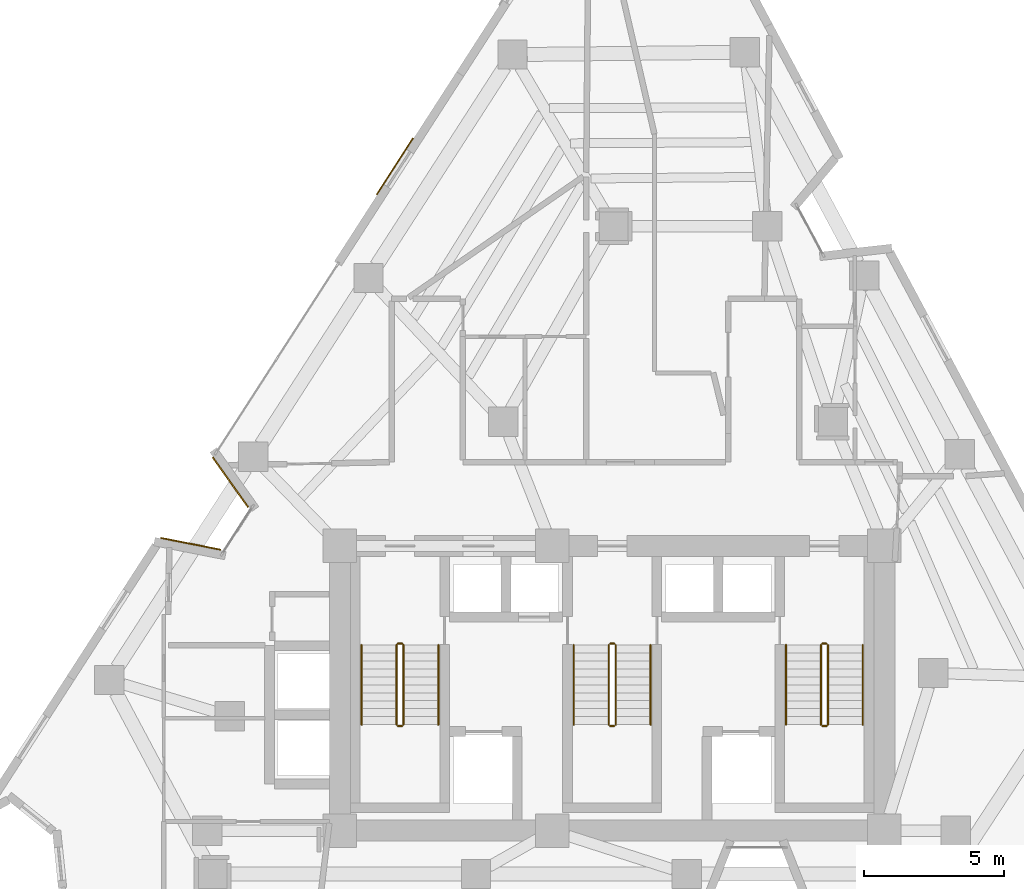
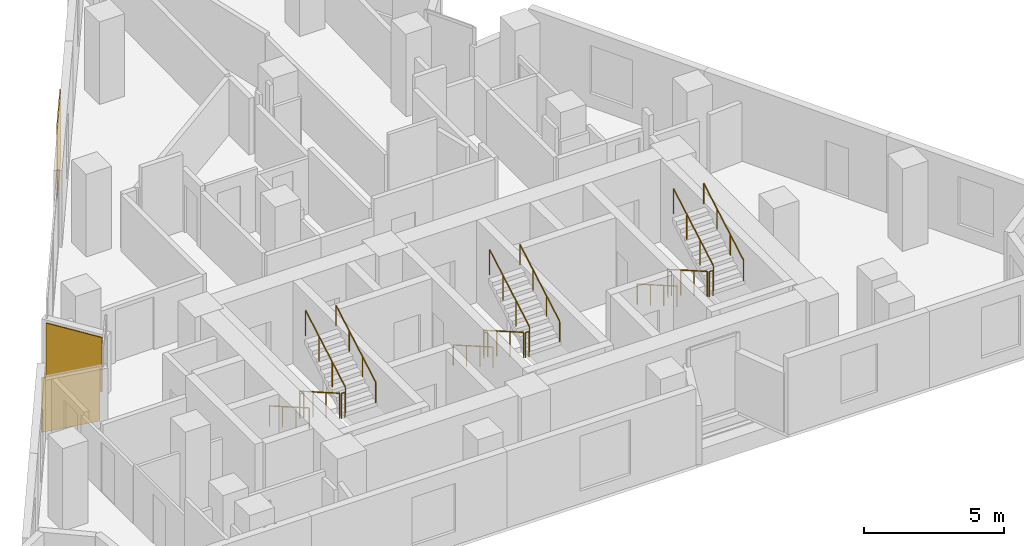
# One storey, part 10 of 11: 18 railings, 3 coverings.
"""IFC4 building model written with IfcOpenShell, lengths in metres."""

from ifc_helpers import new_model, si_unit, direction, frame, origin, origin_2d, place, context, subcontext, project, spatial, rectangle, circle, extrude, material, layer, layer_set, type_object, element, save


model = new_model("IFC4")

# Units and contexts
model_context = context("Model", 3, precision=1e-05, world=origin(), true_north=direction((0.0, 1.0)))
body_context = subcontext(model_context, "Body", "Model", "MODEL_VIEW")
ifc_project = project(units=[si_unit("LENGTHUNIT", "METRE"), si_unit("AREAUNIT", "SQUARE_METRE"), si_unit("VOLUMEUNIT", "CUBIC_METRE"), si_unit("PLANEANGLEUNIT", "RADIAN"), si_unit("MASSUNIT", "GRAM", prefix="KILO")], contexts=[model_context])

# Site, building, storey
site_placement = place(None, origin())
site = spatial("IfcSite", under=ifc_project, at=site_placement, CompositionType="ELEMENT")
building_placement = place(site_placement, origin())
building = spatial("IfcBuilding", under=site, at=building_placement, Name="Almagre Mirador Tower", CompositionType="ELEMENT")
storey_placement = place(building_placement, frame((0.0, 0.0, 189.60009765625)))
storey = spatial("IfcBuildingStorey", under=building, at=storey_placement, Name="L49", CompositionType="ELEMENT", Elevation=189.60009765625)

# Coverings
ifc_material_1 = material(Name="Almagre terracotta architectural cladding", Category="masonry")
ifc_layer = layer(ifc_material_1, 0.044921875)
ifc_layer_set = layer_set([ifc_layer], Name="Almagre terracotta architectural cladding")
covering_type = type_object("IfcCoveringType", Name="COV-CLAD-ALMAGRE", PredefinedType="CLADDING", material=ifc_layer_set)
for number, where, z_axis, x_axis, name in (
    (1, (22.204345703125, 14.82470703125, 0.099853515625), (0.0, 0.0, 1.0), (0.981164762779, -0.193172742077, 0.0), "L49 almagre terracotta pier cladding"),
    (2, (23.626953125, 17.02978515625, 0.099853515625), (0.0, 0.0, 1.0), (-0.580475589131, 0.814277649468, 0.0), "L49 almagre terracotta pier cladding"),
):
    element("IfcCovering", number, at=place(storey_placement, frame(where, z_axis=z_axis, x_axis=x_axis)), inside=storey, type_object=covering_type, Name=name, PredefinedType="CLADDING", context=body_context, shape_type="SweptSolid", body=[
        extrude(rectangle(XDim=2.194091796875, YDim=0.044921875, at=origin_2d()), origin(), (0.0, 0.0, 1.0), 2.375),
    ])
covering_placement = place(storey_placement, frame((29.51904296875, 28.34912109375, 0.099853515625), z_axis=(0.0, 0.0, 1.0), x_axis=(0.54200159037, 0.840377460452, 0.0)))
element("IfcCovering", 3, at=covering_placement, inside=storey, type_object=covering_type, Name="L49 almagre terracotta pier cladding", PredefinedType="CLADDING", context=body_context, shape_type="SweptSolid", body=[
    extrude(rectangle(XDim=2.39990234375, YDim=0.044921875, at=origin_2d()), origin(), (0.0, 0.0, 1.0), 3.14990234375),
])

# Railings
ifc_material_2 = material(Name="Painted galvanized steel", Category="steel")
railing_type_1 = type_object("IfcRailingType", Name="RLG-GRD-1100", PredefinedType="GUARDRAIL", material=ifc_material_2)
railing_1_placement = place(storey_placement, frame((29.574951171875, 11.199951171875, 0.16357421875)))
element("IfcRailing", 4, at=railing_1_placement, inside=storey, type_object=railing_type_1, Name="L49 ST-1 stair guard 1", PredefinedType="GUARDRAIL", context=body_context, shape_type="SweptSolid", body=[
    extrude(circle(Radius=0.02392578125, at=origin_2d()), frame((0.0, 0.0, 1.09619140625), z_axis=(0.0, -0.867226363773, 0.497914082927), x_axis=(1.0, 0.0, 0.0)), (0.0, 0.0, 1.0), 3.2861328125),
    extrude(circle(Radius=0.02099609375, at=origin_2d()), origin(), (0.0, 0.0, 1.0), 1.072021484375),
    extrude(circle(Radius=0.02099609375, at=origin_2d()), frame((0.0, -0.949951171875, 0.54541015625)), (0.0, 0.0, 1.0), 1.072021484375),
    extrude(circle(Radius=0.02099609375, at=origin_2d()), frame((0.0, -1.89990234375, 1.0908203125)), (0.0, 0.0, 1.0), 1.072021484375),
    extrude(circle(Radius=0.02099609375, at=origin_2d()), frame((0.0, -2.849853515625, 1.63623046875)), (0.0, 0.0, 1.0), 1.072021484375),
])
railing_2_placement = place(storey_placement, frame((29.625, 8.300048828125, 1.7998046875)))
element("IfcRailing", 5, at=railing_2_placement, inside=storey, type_object=railing_type_1, Name="L49 ST-1 stair guard 2", PredefinedType="GUARDRAIL", context=body_context, shape_type="SweptSolid", body=[
    extrude(circle(Radius=0.02392578125, at=origin_2d()), frame((0.0, 0.0, 1.09619140625), z_axis=(1.0, 0.0, 0.0), x_axis=(0.0, 1.0, 0.0)), (0.0, 0.0, 1.0), 0.14990234375),
    extrude(circle(Radius=0.02099609375, at=origin_2d()), origin(), (0.0, 0.0, 1.0), 1.072021484375),
    extrude(circle(Radius=0.02099609375, at=origin_2d()), frame((0.14990234375, 0.0, 0.0)), (0.0, 0.0, 1.0), 1.072021484375),
])
railing_3_placement = place(storey_placement, frame((29.824951171875, 8.35009765625, 1.963623046875)))
element("IfcRailing", 6, at=railing_3_placement, inside=storey, type_object=railing_type_1, Name="L49 ST-1 stair guard 3", PredefinedType="GUARDRAIL", context=body_context, shape_type="SweptSolid", body=[
    extrude(circle(Radius=0.02392578125, at=origin_2d()), frame((0.0, 0.0, 1.09619140625), z_axis=(0.0, 0.867226363773, 0.497914082927), x_axis=(-1.0, 0.0, 0.0)), (0.0, 0.0, 1.0), 3.2861328125),
    extrude(circle(Radius=0.02099609375, at=origin_2d()), origin(), (0.0, 0.0, 1.0), 1.072021484375),
    extrude(circle(Radius=0.02099609375, at=origin_2d()), frame((0.0, 0.949951171875, 0.54541015625)), (0.0, 0.0, 1.0), 1.072021484375),
    extrude(circle(Radius=0.02099609375, at=origin_2d()), frame((0.0, 1.89990234375, 1.0908203125)), (0.0, 0.0, 1.0), 1.072021484375),
    extrude(circle(Radius=0.02099609375, at=origin_2d()), frame((0.0, 2.849853515625, 1.63623046875)), (0.0, 0.0, 1.0), 1.072021484375),
])
railing_4_placement = place(storey_placement, frame((29.625, 11.25, 0.0)))
element("IfcRailing", 7, at=railing_4_placement, inside=storey, type_object=railing_type_1, Name="L49 ST-1 stair guard 4", PredefinedType="GUARDRAIL", context=body_context, shape_type="SweptSolid", body=[
    extrude(circle(Radius=0.02392578125, at=origin_2d()), frame((0.0, 0.0, 1.09619140625), z_axis=(1.0, 0.0, 0.0), x_axis=(0.0, 1.0, 0.0)), (0.0, 0.0, 1.0), 0.14990234375),
    extrude(circle(Radius=0.02099609375, at=origin_2d()), origin(), (0.0, 0.0, 1.0), 1.072021484375),
    extrude(circle(Radius=0.02099609375, at=origin_2d()), frame((0.14990234375, 0.0, 0.0)), (0.0, 0.0, 1.0), 1.072021484375),
])
railing_5_placement = place(storey_placement, frame((37.175048828125, 11.199951171875, 0.16357421875)))
element("IfcRailing", 8, at=railing_5_placement, inside=storey, type_object=railing_type_1, Name="L49 ST-2 stair guard 1", PredefinedType="GUARDRAIL", context=body_context, shape_type="SweptSolid", body=[
    extrude(circle(Radius=0.02392578125, at=origin_2d()), frame((0.0, 0.0, 1.09619140625), z_axis=(0.0, -0.867226363773, 0.497914082927), x_axis=(1.0, 0.0, 0.0)), (0.0, 0.0, 1.0), 3.2861328125),
    extrude(circle(Radius=0.02099609375, at=origin_2d()), origin(), (0.0, 0.0, 1.0), 1.072021484375),
    extrude(circle(Radius=0.02099609375, at=origin_2d()), frame((0.0, -0.949951171875, 0.54541015625)), (0.0, 0.0, 1.0), 1.072021484375),
    extrude(circle(Radius=0.02099609375, at=origin_2d()), frame((0.0, -1.89990234375, 1.0908203125)), (0.0, 0.0, 1.0), 1.072021484375),
    extrude(circle(Radius=0.02099609375, at=origin_2d()), frame((0.0, -2.849853515625, 1.63623046875)), (0.0, 0.0, 1.0), 1.072021484375),
])
railing_6_placement = place(storey_placement, frame((37.22509765625, 8.300048828125, 1.7998046875)))
element("IfcRailing", 9, at=railing_6_placement, inside=storey, type_object=railing_type_1, Name="L49 ST-2 stair guard 2", PredefinedType="GUARDRAIL", context=body_context, shape_type="SweptSolid", body=[
    extrude(circle(Radius=0.02392578125, at=origin_2d()), frame((0.0, 0.0, 1.09619140625), z_axis=(1.0, 0.0, 0.0), x_axis=(0.0, 1.0, 0.0)), (0.0, 0.0, 1.0), 0.14990234375),
    extrude(circle(Radius=0.02099609375, at=origin_2d()), origin(), (0.0, 0.0, 1.0), 1.072021484375),
    extrude(circle(Radius=0.02099609375, at=origin_2d()), frame((0.14990234375, 0.0, 0.0)), (0.0, 0.0, 1.0), 1.072021484375),
])
railing_7_placement = place(storey_placement, frame((37.425048828125, 8.35009765625, 1.963623046875)))
element("IfcRailing", 10, at=railing_7_placement, inside=storey, type_object=railing_type_1, Name="L49 ST-2 stair guard 3", PredefinedType="GUARDRAIL", context=body_context, shape_type="SweptSolid", body=[
    extrude(circle(Radius=0.02392578125, at=origin_2d()), frame((0.0, 0.0, 1.09619140625), z_axis=(0.0, 0.867226363773, 0.497914082927), x_axis=(-1.0, 0.0, 0.0)), (0.0, 0.0, 1.0), 3.2861328125),
    extrude(circle(Radius=0.02099609375, at=origin_2d()), origin(), (0.0, 0.0, 1.0), 1.072021484375),
    extrude(circle(Radius=0.02099609375, at=origin_2d()), frame((0.0, 0.949951171875, 0.54541015625)), (0.0, 0.0, 1.0), 1.072021484375),
    extrude(circle(Radius=0.02099609375, at=origin_2d()), frame((0.0, 1.89990234375, 1.0908203125)), (0.0, 0.0, 1.0), 1.072021484375),
    extrude(circle(Radius=0.02099609375, at=origin_2d()), frame((0.0, 2.849853515625, 1.63623046875)), (0.0, 0.0, 1.0), 1.072021484375),
])
railing_8_placement = place(storey_placement, frame((37.22509765625, 11.25, 0.0)))
element("IfcRailing", 11, at=railing_8_placement, inside=storey, type_object=railing_type_1, Name="L49 ST-2 stair guard 4", PredefinedType="GUARDRAIL", context=body_context, shape_type="SweptSolid", body=[
    extrude(circle(Radius=0.02392578125, at=origin_2d()), frame((0.0, 0.0, 1.09619140625), z_axis=(1.0, 0.0, 0.0), x_axis=(0.0, 1.0, 0.0)), (0.0, 0.0, 1.0), 0.14990234375),
    extrude(circle(Radius=0.02099609375, at=origin_2d()), origin(), (0.0, 0.0, 1.0), 1.072021484375),
    extrude(circle(Radius=0.02099609375, at=origin_2d()), frame((0.14990234375, 0.0, 0.0)), (0.0, 0.0, 1.0), 1.072021484375),
])
railing_9_placement = place(storey_placement, frame((44.77490234375, 11.199951171875, 0.16357421875)))
element("IfcRailing", 12, at=railing_9_placement, inside=storey, type_object=railing_type_1, Name="L49 ST-3 stair guard 1", PredefinedType="GUARDRAIL", context=body_context, shape_type="SweptSolid", body=[
    extrude(circle(Radius=0.02392578125, at=origin_2d()), frame((0.0, 0.0, 1.09619140625), z_axis=(0.0, -0.867226363773, 0.497914082927), x_axis=(1.0, 0.0, 0.0)), (0.0, 0.0, 1.0), 3.2861328125),
    extrude(circle(Radius=0.02099609375, at=origin_2d()), origin(), (0.0, 0.0, 1.0), 1.072021484375),
    extrude(circle(Radius=0.02099609375, at=origin_2d()), frame((0.0, -0.949951171875, 0.54541015625)), (0.0, 0.0, 1.0), 1.072021484375),
    extrude(circle(Radius=0.02099609375, at=origin_2d()), frame((0.0, -1.89990234375, 1.0908203125)), (0.0, 0.0, 1.0), 1.072021484375),
    extrude(circle(Radius=0.02099609375, at=origin_2d()), frame((0.0, -2.849853515625, 1.63623046875)), (0.0, 0.0, 1.0), 1.072021484375),
])
railing_10_placement = place(storey_placement, frame((44.824951171875, 8.300048828125, 1.7998046875)))
element("IfcRailing", 13, at=railing_10_placement, inside=storey, type_object=railing_type_1, Name="L49 ST-3 stair guard 2", PredefinedType="GUARDRAIL", context=body_context, shape_type="SweptSolid", body=[
    extrude(circle(Radius=0.02392578125, at=origin_2d()), frame((0.0, 0.0, 1.09619140625), z_axis=(1.0, 0.0, 0.0), x_axis=(0.0, 1.0, 0.0)), (0.0, 0.0, 1.0), 0.150146484375),
    extrude(circle(Radius=0.02099609375, at=origin_2d()), origin(), (0.0, 0.0, 1.0), 1.072021484375),
    extrude(circle(Radius=0.02099609375, at=origin_2d()), frame((0.150146484375, 0.0, 0.0)), (0.0, 0.0, 1.0), 1.072021484375),
])
railing_11_placement = place(storey_placement, frame((45.02490234375, 8.35009765625, 1.963623046875)))
element("IfcRailing", 14, at=railing_11_placement, inside=storey, type_object=railing_type_1, Name="L49 ST-3 stair guard 3", PredefinedType="GUARDRAIL", context=body_context, shape_type="SweptSolid", body=[
    extrude(circle(Radius=0.02392578125, at=origin_2d()), frame((0.0, 0.0, 1.09619140625), z_axis=(0.0, 0.867226363773, 0.497914082927), x_axis=(-1.0, 0.0, 0.0)), (0.0, 0.0, 1.0), 3.2861328125),
    extrude(circle(Radius=0.02099609375, at=origin_2d()), origin(), (0.0, 0.0, 1.0), 1.072021484375),
    extrude(circle(Radius=0.02099609375, at=origin_2d()), frame((0.0, 0.949951171875, 0.54541015625)), (0.0, 0.0, 1.0), 1.072021484375),
    extrude(circle(Radius=0.02099609375, at=origin_2d()), frame((0.0, 1.89990234375, 1.0908203125)), (0.0, 0.0, 1.0), 1.072021484375),
    extrude(circle(Radius=0.02099609375, at=origin_2d()), frame((0.0, 2.849853515625, 1.63623046875)), (0.0, 0.0, 1.0), 1.072021484375),
])
railing_12_placement = place(storey_placement, frame((44.824951171875, 11.25, 0.0)))
element("IfcRailing", 15, at=railing_12_placement, inside=storey, type_object=railing_type_1, Name="L49 ST-3 stair guard 4", PredefinedType="GUARDRAIL", context=body_context, shape_type="SweptSolid", body=[
    extrude(circle(Radius=0.02392578125, at=origin_2d()), frame((0.0, 0.0, 1.09619140625), z_axis=(1.0, 0.0, 0.0), x_axis=(0.0, 1.0, 0.0)), (0.0, 0.0, 1.0), 0.150146484375),
    extrude(circle(Radius=0.02099609375, at=origin_2d()), origin(), (0.0, 0.0, 1.0), 1.072021484375),
    extrude(circle(Radius=0.02099609375, at=origin_2d()), frame((0.150146484375, 0.0, 0.0)), (0.0, 0.0, 1.0), 1.072021484375),
])
ifc_material_3 = material(Name="Brushed stainless steel", Category="steel")
railing_type_2 = type_object("IfcRailingType", Name="RLG-HND-915", PredefinedType="HANDRAIL", material=ifc_material_3)
railing_13_placement = place(storey_placement, frame((28.324951171875, 11.199951171875, 0.16357421875)))
element("IfcRailing", 16, at=railing_13_placement, inside=storey, type_object=railing_type_2, Name="L49 ST-1 stair handrail 1", PredefinedType="HANDRAIL", context=body_context, shape_type="SweptSolid", body=[
    extrude(circle(Radius=0.02392578125, at=origin_2d()), frame((0.0, 0.0, 0.89111328125), z_axis=(0.0, -0.867226363773, 0.497914082927), x_axis=(1.0, 0.0, 0.0)), (0.0, 0.0, 1.0), 3.2861328125),
    extrude(circle(Radius=0.02099609375, at=origin_2d()), origin(), (0.0, 0.0, 1.0), 0.866943359375),
    extrude(circle(Radius=0.02099609375, at=origin_2d()), frame((0.0, -0.949951171875, 0.54541015625)), (0.0, 0.0, 1.0), 0.866943359375),
    extrude(circle(Radius=0.02099609375, at=origin_2d()), frame((0.0, -1.89990234375, 1.0908203125)), (0.0, 0.0, 1.0), 0.866943359375),
    extrude(circle(Radius=0.02099609375, at=origin_2d()), frame((0.0, -2.849853515625, 1.63623046875)), (0.0, 0.0, 1.0), 0.866943359375),
])
railing_14_placement = place(storey_placement, frame((31.074951171875, 8.35009765625, 1.963623046875)))
element("IfcRailing", 17, at=railing_14_placement, inside=storey, type_object=railing_type_2, Name="L49 ST-1 stair handrail 2", PredefinedType="HANDRAIL", context=body_context, shape_type="SweptSolid", body=[
    extrude(circle(Radius=0.02392578125, at=origin_2d()), frame((0.0, 0.0, 0.89111328125), z_axis=(0.0, 0.867226363773, 0.497914082927), x_axis=(-1.0, 0.0, 0.0)), (0.0, 0.0, 1.0), 3.2861328125),
    extrude(circle(Radius=0.02099609375, at=origin_2d()), origin(), (0.0, 0.0, 1.0), 0.866943359375),
    extrude(circle(Radius=0.02099609375, at=origin_2d()), frame((0.0, 0.949951171875, 0.54541015625)), (0.0, 0.0, 1.0), 0.866943359375),
    extrude(circle(Radius=0.02099609375, at=origin_2d()), frame((0.0, 1.89990234375, 1.0908203125)), (0.0, 0.0, 1.0), 0.866943359375),
    extrude(circle(Radius=0.02099609375, at=origin_2d()), frame((0.0, 2.849853515625, 1.63623046875)), (0.0, 0.0, 1.0), 0.866943359375),
])
railing_15_placement = place(storey_placement, frame((35.925048828125, 11.199951171875, 0.16357421875)))
element("IfcRailing", 18, at=railing_15_placement, inside=storey, type_object=railing_type_2, Name="L49 ST-2 stair handrail 1", PredefinedType="HANDRAIL", context=body_context, shape_type="SweptSolid", body=[
    extrude(circle(Radius=0.02392578125, at=origin_2d()), frame((0.0, 0.0, 0.89111328125), z_axis=(0.0, -0.867226363773, 0.497914082927), x_axis=(1.0, 0.0, 0.0)), (0.0, 0.0, 1.0), 3.2861328125),
    extrude(circle(Radius=0.02099609375, at=origin_2d()), origin(), (0.0, 0.0, 1.0), 0.866943359375),
    extrude(circle(Radius=0.02099609375, at=origin_2d()), frame((0.0, -0.949951171875, 0.54541015625)), (0.0, 0.0, 1.0), 0.866943359375),
    extrude(circle(Radius=0.02099609375, at=origin_2d()), frame((0.0, -1.89990234375, 1.0908203125)), (0.0, 0.0, 1.0), 0.866943359375),
    extrude(circle(Radius=0.02099609375, at=origin_2d()), frame((0.0, -2.849853515625, 1.63623046875)), (0.0, 0.0, 1.0), 0.866943359375),
])
railing_16_placement = place(storey_placement, frame((38.675048828125, 8.35009765625, 1.963623046875)))
element("IfcRailing", 19, at=railing_16_placement, inside=storey, type_object=railing_type_2, Name="L49 ST-2 stair handrail 2", PredefinedType="HANDRAIL", context=body_context, shape_type="SweptSolid", body=[
    extrude(circle(Radius=0.02392578125, at=origin_2d()), frame((0.0, 0.0, 0.89111328125), z_axis=(0.0, 0.867226363773, 0.497914082927), x_axis=(-1.0, 0.0, 0.0)), (0.0, 0.0, 1.0), 3.2861328125),
    extrude(circle(Radius=0.02099609375, at=origin_2d()), origin(), (0.0, 0.0, 1.0), 0.866943359375),
    extrude(circle(Radius=0.02099609375, at=origin_2d()), frame((0.0, 0.949951171875, 0.54541015625)), (0.0, 0.0, 1.0), 0.866943359375),
    extrude(circle(Radius=0.02099609375, at=origin_2d()), frame((0.0, 1.89990234375, 1.0908203125)), (0.0, 0.0, 1.0), 0.866943359375),
    extrude(circle(Radius=0.02099609375, at=origin_2d()), frame((0.0, 2.849853515625, 1.63623046875)), (0.0, 0.0, 1.0), 0.866943359375),
])
railing_17_placement = place(storey_placement, frame((43.52490234375, 11.199951171875, 0.16357421875)))
element("IfcRailing", 20, at=railing_17_placement, inside=storey, type_object=railing_type_2, Name="L49 ST-3 stair handrail 1", PredefinedType="HANDRAIL", context=body_context, shape_type="SweptSolid", body=[
    extrude(circle(Radius=0.02392578125, at=origin_2d()), frame((0.0, 0.0, 0.89111328125), z_axis=(0.0, -0.867226363773, 0.497914082927), x_axis=(1.0, 0.0, 0.0)), (0.0, 0.0, 1.0), 3.2861328125),
    extrude(circle(Radius=0.02099609375, at=origin_2d()), origin(), (0.0, 0.0, 1.0), 0.866943359375),
    extrude(circle(Radius=0.02099609375, at=origin_2d()), frame((0.0, -0.949951171875, 0.54541015625)), (0.0, 0.0, 1.0), 0.866943359375),
    extrude(circle(Radius=0.02099609375, at=origin_2d()), frame((0.0, -1.89990234375, 1.0908203125)), (0.0, 0.0, 1.0), 0.866943359375),
    extrude(circle(Radius=0.02099609375, at=origin_2d()), frame((0.0, -2.849853515625, 1.63623046875)), (0.0, 0.0, 1.0), 0.866943359375),
])
railing_18_placement = place(storey_placement, frame((46.27490234375, 8.35009765625, 1.963623046875)))
element("IfcRailing", 21, at=railing_18_placement, inside=storey, type_object=railing_type_2, Name="L49 ST-3 stair handrail 2", PredefinedType="HANDRAIL", context=body_context, shape_type="SweptSolid", body=[
    extrude(circle(Radius=0.02392578125, at=origin_2d()), frame((0.0, 0.0, 0.89111328125), z_axis=(0.0, 0.867226363773, 0.497914082927), x_axis=(-1.0, 0.0, 0.0)), (0.0, 0.0, 1.0), 3.2861328125),
    extrude(circle(Radius=0.02099609375, at=origin_2d()), origin(), (0.0, 0.0, 1.0), 0.866943359375),
    extrude(circle(Radius=0.02099609375, at=origin_2d()), frame((0.0, 0.949951171875, 0.54541015625)), (0.0, 0.0, 1.0), 0.866943359375),
    extrude(circle(Radius=0.02099609375, at=origin_2d()), frame((0.0, 1.89990234375, 1.0908203125)), (0.0, 0.0, 1.0), 0.866943359375),
    extrude(circle(Radius=0.02099609375, at=origin_2d()), frame((0.0, 2.849853515625, 1.63623046875)), (0.0, 0.0, 1.0), 0.866943359375),
])

save(model, "model.ifc")
